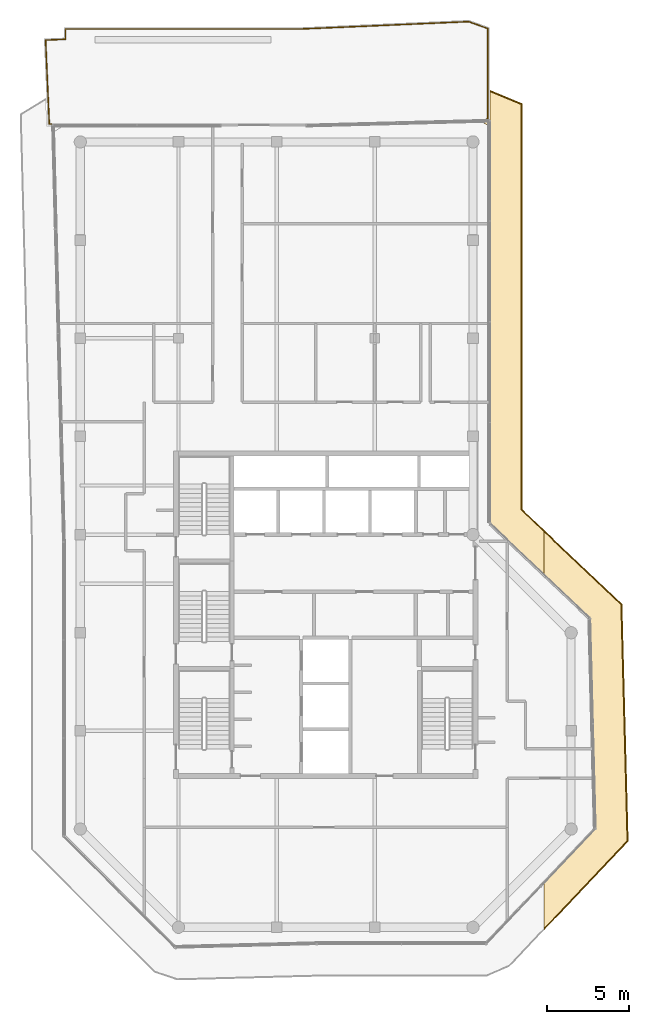
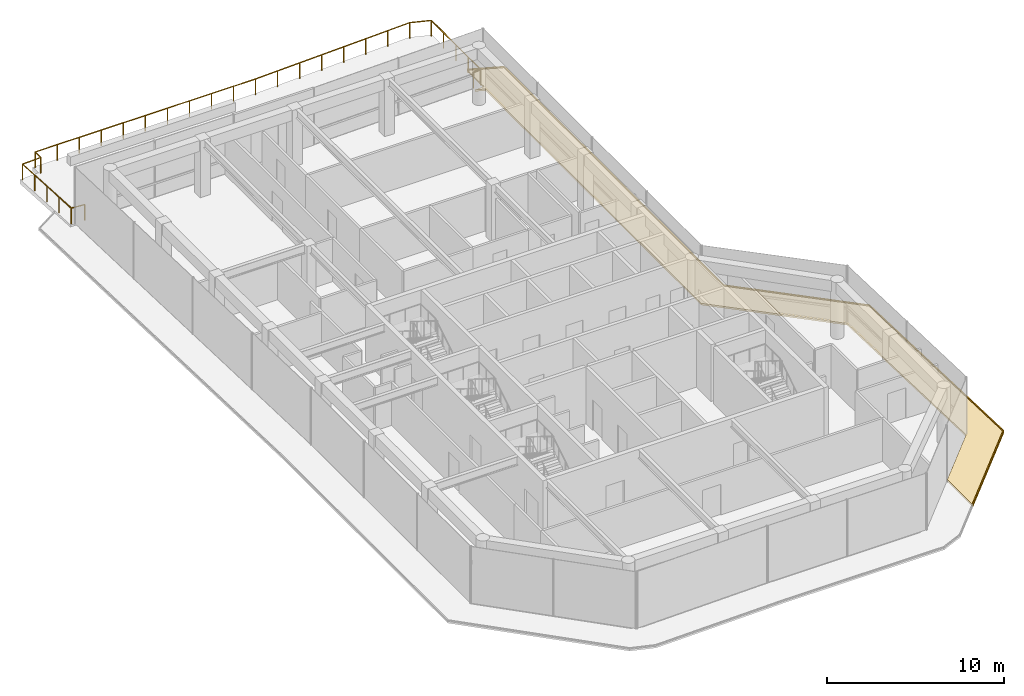
# One storey, part 20 of 20: 4 coverings, 1 railing.
"""IFC4 building model written with IfcOpenShell, lengths in metres."""

from ifc_helpers import new_model, si_unit, direction, frame, origin, origin_2d, place, context, subcontext, project, spatial, polyline, circle, outline, extrude, material, layer, layer_set, type_object, element, save


model = new_model("IFC4")

# Units and contexts
model_context = context("Model", 3, precision=1e-05, world=origin(), true_north=direction((0.0, 1.0)))
body_context = subcontext(model_context, "Body", "Model", "MODEL_VIEW")
ifc_project = project(units=[si_unit("LENGTHUNIT", "METRE"), si_unit("AREAUNIT", "SQUARE_METRE"), si_unit("VOLUMEUNIT", "CUBIC_METRE"), si_unit("PLANEANGLEUNIT", "RADIAN"), si_unit("MASSUNIT", "GRAM", prefix="KILO")], contexts=[model_context])

# Site, building, storey
site_placement = place(None, origin())
site = spatial("IfcSite", under=ifc_project, at=site_placement, CompositionType="ELEMENT")
building_placement = place(site_placement, origin())
building = spatial("IfcBuilding", under=site, at=building_placement, Name="Welwitschia Terrace Campus", CompositionType="ELEMENT")
storey_placement = place(building_placement, frame((0.0, 0.0, 327.199951171875)))
storey = spatial("IfcBuildingStorey", under=building, at=storey_placement, Name="L73", CompositionType="ELEMENT", Elevation=327.199951171875)

# Railing
ifc_material_1 = material(Name="Stainless steel grade 316", Category="steel")
railing_type = type_object("IfcRailingType", Name="Guard 1100", PredefinedType="GUARDRAIL", material=ifc_material_1)
railing_placement = place(storey_placement, frame((-1.06640625, 45.030029296875, 0.0)))
element("IfcRailing", 1, at=railing_placement, inside=storey, type_object=railing_type, Name="Guard terrace L73:0:0.0", PredefinedType="GUARDRAIL", context=body_context, shape_type="SweptSolid", body=[
    extrude(circle(Radius=0.02392578125, at=origin_2d()), frame((0.0, 0.0, 1.076171875), z_axis=(-0.996447945087, 0.084211001249, 0.0), x_axis=(-0.084211001249, -0.996447945087, 0.0)), (0.0, 0.0, 1.0), 0.83203125),
    extrude(circle(Radius=0.02392578125, at=origin_2d()), frame((-0.8291015625, 0.070068359375, 1.076171875), z_axis=(-0.043633605219, 0.999047600716, 0.0), x_axis=(-0.999047600716, -0.043633605219, 0.0)), (0.0, 0.0, 1.0), 5.125244140625),
    extrude(circle(Radius=0.02392578125, at=origin_2d()), frame((-1.052734375, 5.1904296875, 1.076171875), z_axis=(0.999048594219, 0.04361085173, 0.0), x_axis=(-0.04361085173, 0.999048594219, 0.0)), (0.0, 0.0, 1.0), 1.220458984375),
    extrude(circle(Radius=0.02392578125, at=origin_2d()), frame((0.16650390625, 5.24365234375, 1.076171875), z_axis=(0.0, 1.0, 0.0), x_axis=(-1.0, 0.0, 0.0)), (0.0, 0.0, 1.0), 0.626220703125),
    extrude(circle(Radius=0.02392578125, at=origin_2d()), frame((0.16650390625, 5.869873046875, 1.076171875), z_axis=(1.0, 0.0, 0.0), x_axis=(0.0, 1.0, 0.0)), (0.0, 0.0, 1.0), 14.34521484375),
    extrude(circle(Radius=0.02392578125, at=origin_2d()), frame((14.51171875, 5.869873046875, 1.076171875), z_axis=(0.999047642833, 0.043632640867, 0.0), x_axis=(-0.043632640867, 0.999047642833, 0.0)), (0.0, 0.0, 1.0), 10.301025390625),
    extrude(circle(Radius=0.02392578125, at=origin_2d()), frame((24.802978515625, 6.3193359375, 1.076171875), z_axis=(0.940660710803, -0.339348533446, 0.0), x_axis=(0.339348533446, 0.940660710803, 0.0)), (0.0, 0.0, 1.0), 1.23681640625),
    extrude(circle(Radius=0.02392578125, at=origin_2d()), frame((25.96630859375, 5.899658203125, 1.076171875), z_axis=(0.0, -1.0, 0.0), x_axis=(1.0, 0.0, 0.0)), (0.0, 0.0, 1.0), 5.538818359375),
    extrude(circle(Radius=0.02392578125, at=origin_2d()), frame((25.96630859375, 0.36083984375, 1.076171875), z_axis=(-0.98623574787, -0.165345243726, 0.0), x_axis=(0.165345243726, -0.98623574787, 0.0)), (0.0, 0.0, 1.0), 0.501953125),
    extrude(circle(Radius=0.02099609375, at=origin_2d()), origin(), (0.0, 0.0, 1.0), 1.052001953125),
    extrude(circle(Radius=0.02099609375, at=origin_2d()), frame((-0.8291015625, 0.070068359375, 0.0)), (0.0, 0.0, 1.0), 1.052001953125),
    extrude(circle(Radius=0.02099609375, at=origin_2d()), frame((-0.885009765625, 1.35009765625, 0.0)), (0.0, 0.0, 1.0), 1.052001953125),
    extrude(circle(Radius=0.02099609375, at=origin_2d()), frame((-0.94091796875, 2.63037109375, 0.0)), (0.0, 0.0, 1.0), 1.052001953125),
    extrude(circle(Radius=0.02099609375, at=origin_2d()), frame((-0.996826171875, 3.910400390625, 0.0)), (0.0, 0.0, 1.0), 1.052001953125),
    extrude(circle(Radius=0.02099609375, at=origin_2d()), frame((-1.052734375, 5.1904296875, 0.0)), (0.0, 0.0, 1.0), 1.052001953125),
    extrude(circle(Radius=0.02099609375, at=origin_2d()), frame((0.16650390625, 5.24365234375, 0.0)), (0.0, 0.0, 1.0), 1.052001953125),
    extrude(circle(Radius=0.02099609375, at=origin_2d()), frame((0.16650390625, 5.869873046875, 0.0)), (0.0, 0.0, 1.0), 1.052001953125),
    extrude(circle(Radius=0.02099609375, at=origin_2d()), frame((1.60107421875, 5.869873046875, 0.0)), (0.0, 0.0, 1.0), 1.052001953125),
    extrude(circle(Radius=0.02099609375, at=origin_2d()), frame((3.03564453125, 5.869873046875, 0.0)), (0.0, 0.0, 1.0), 1.052001953125),
    extrude(circle(Radius=0.02099609375, at=origin_2d()), frame((4.469970703125, 5.869873046875, 0.0)), (0.0, 0.0, 1.0), 1.052001953125),
    extrude(circle(Radius=0.02099609375, at=origin_2d()), frame((5.904541015625, 5.869873046875, 0.0)), (0.0, 0.0, 1.0), 1.052001953125),
    extrude(circle(Radius=0.02099609375, at=origin_2d()), frame((7.339111328125, 5.869873046875, 0.0)), (0.0, 0.0, 1.0), 1.052001953125),
    extrude(circle(Radius=0.02099609375, at=origin_2d()), frame((8.773681640625, 5.869873046875, 0.0)), (0.0, 0.0, 1.0), 1.052001953125),
    extrude(circle(Radius=0.02099609375, at=origin_2d()), frame((10.208251953125, 5.869873046875, 0.0)), (0.0, 0.0, 1.0), 1.052001953125),
    extrude(circle(Radius=0.02099609375, at=origin_2d()), frame((11.642578125, 5.869873046875, 0.0)), (0.0, 0.0, 1.0), 1.052001953125),
    extrude(circle(Radius=0.02099609375, at=origin_2d()), frame((13.0771484375, 5.869873046875, 0.0)), (0.0, 0.0, 1.0), 1.052001953125),
    extrude(circle(Radius=0.02099609375, at=origin_2d()), frame((14.51171875, 5.869873046875, 0.0)), (0.0, 0.0, 1.0), 1.052001953125),
    extrude(circle(Radius=0.02099609375, at=origin_2d()), frame((15.98193359375, 5.93408203125, 0.0)), (0.0, 0.0, 1.0), 1.052001953125),
    extrude(circle(Radius=0.02099609375, at=origin_2d()), frame((17.4521484375, 5.998291015625, 0.0)), (0.0, 0.0, 1.0), 1.052001953125),
    extrude(circle(Radius=0.02099609375, at=origin_2d()), frame((18.92236328125, 6.0625, 0.0)), (0.0, 0.0, 1.0), 1.052001953125),
    extrude(circle(Radius=0.02099609375, at=origin_2d()), frame((20.392333984375, 6.126708984375, 0.0)), (0.0, 0.0, 1.0), 1.052001953125),
    extrude(circle(Radius=0.02099609375, at=origin_2d()), frame((21.862548828125, 6.19091796875, 0.0)), (0.0, 0.0, 1.0), 1.052001953125),
    extrude(circle(Radius=0.02099609375, at=origin_2d()), frame((23.332763671875, 6.255126953125, 0.0)), (0.0, 0.0, 1.0), 1.052001953125),
    extrude(circle(Radius=0.02099609375, at=origin_2d()), frame((24.802978515625, 6.3193359375, 0.0)), (0.0, 0.0, 1.0), 1.052001953125),
    extrude(circle(Radius=0.02099609375, at=origin_2d()), frame((25.96630859375, 5.899658203125, 0.0)), (0.0, 0.0, 1.0), 1.052001953125),
    extrude(circle(Radius=0.02099609375, at=origin_2d()), frame((25.96630859375, 4.514892578125, 0.0)), (0.0, 0.0, 1.0), 1.052001953125),
    extrude(circle(Radius=0.02099609375, at=origin_2d()), frame((25.96630859375, 3.13037109375, 0.0)), (0.0, 0.0, 1.0), 1.052001953125),
    extrude(circle(Radius=0.02099609375, at=origin_2d()), frame((25.96630859375, 1.74560546875, 0.0)), (0.0, 0.0, 1.0), 1.052001953125),
    extrude(circle(Radius=0.02099609375, at=origin_2d()), frame((25.96630859375, 0.36083984375, 0.0)), (0.0, 0.0, 1.0), 1.052001953125),
    extrude(circle(Radius=0.02099609375, at=origin_2d()), frame((25.47119140625, 0.27783203125, 0.0)), (0.0, 0.0, 1.0), 1.052001953125),
])

# Coverings
ifc_material_2 = material(Name="Bronze anodised aluminium", Category="aluminium")
ifc_layer_1 = layer(ifc_material_2, 0.1201171875)
ifc_layer_set_1 = layer_set([ifc_layer_1], Name="Bronze anodised aluminium")
covering_type_1 = type_object("IfcCoveringType", Name="Sunshade band 2000", PredefinedType="USERDEFINED", material=ifc_layer_set_1)
covering_1_placement = place(storey_placement, frame((0.0, 0.0, -0.199951171875)))
element("IfcCovering", 2, at=covering_1_placement, inside=storey, type_object=covering_type_1, Name="SUNSHADE L73.SW1", ObjectType="SUNSHADE", PredefinedType="USERDEFINED", context=body_context, shape_type="SweptSolid", body=[
    extrude(outline(polyline([(25.0, 20.6787109375), (25.0, 45.0), (24.448486328125, 45.22900390625), (25.050048828125, 45.244873046875), (25.050048828125, 47.14501953125), (27.0, 46.3349609375), (27.0, 21.537841796875), (28.34423828125, 20.26220703125), (28.34423828125, 17.505126953125), (25.0, 20.6787109375)])), origin(), (0.0, 0.0, 1.0), 0.1201171875),
])
covering_2_placement = place(storey_placement, frame((0.0, 0.0, -0.199951171875)))
element("IfcCovering", 3, at=covering_2_placement, inside=storey, type_object=covering_type_1, Name="SUNSHADE L73.SE0", ObjectType="SUNSHADE", PredefinedType="USERDEFINED", context=body_context, shape_type="SweptSolid", body=[
    extrude(outline(polyline([(31.469482421875, 2.03369140625), (31.1337890625, 14.85791015625), (28.34423828125, 17.505126953125), (28.34423828125, 20.26220703125), (33.111572265625, 15.73828125), (33.490478515625, 1.258056640625), (28.34423828125, -4.165283203125), (28.34423828125, -1.259765625), (31.469482421875, 2.03369140625)])), origin(), (0.0, 0.0, 1.0), 0.1201171875),
])
ifc_material_3 = material(Name="Bronze anodised aluminium", Category="aluminium")
ifc_layer_2 = layer(ifc_material_3, 0.06005859375)
ifc_layer_set_2 = layer_set([ifc_layer_2], Name="Bronze anodised aluminium")
covering_type_2 = type_object("IfcCoveringType", Name="Sunshade lip 60", PredefinedType="USERDEFINED", material=ifc_layer_set_2)
covering_3_placement = place(storey_placement, frame((0.0, 0.0, -0.079833984375)))
element("IfcCovering", 4, at=covering_3_placement, inside=storey, type_object=covering_type_2, Name="SUNSHADE LIP L73.SW1.0", ObjectType="SUNSHADE", PredefinedType="USERDEFINED", context=body_context, shape_type="SweptSolid", body=[
    extrude(outline(polyline([(25.050048828125, 47.14501953125), (27.0, 46.3349609375), (27.0, 21.537841796875), (28.34423828125, 20.26220703125), (28.34423828125, 20.1796875), (26.93994140625, 21.51220703125), (26.93994140625, 46.294921875), (25.050048828125, 47.079833984375), (25.050048828125, 47.14501953125)])), origin(), (0.0, 0.0, 1.0), 0.079833984375),
])
covering_4_placement = place(storey_placement, frame((0.0, 0.0, -0.079833984375)))
element("IfcCovering", 5, at=covering_4_placement, inside=storey, type_object=covering_type_2, Name="SUNSHADE LIP L73.SE0.0", ObjectType="SUNSHADE", PredefinedType="USERDEFINED", context=body_context, shape_type="SweptSolid", body=[
    extrude(outline(polyline([(28.34423828125, 20.26220703125), (33.111572265625, 15.73828125), (33.490478515625, 1.258056640625), (28.34423828125, -4.165283203125), (28.34423828125, -4.078125), (33.429931640625, 1.28125), (33.052001953125, 15.7119140625), (28.34423828125, 20.1796875), (28.34423828125, 20.26220703125)])), origin(), (0.0, 0.0, 1.0), 0.079833984375),
])

save(model, "model.ifc")
